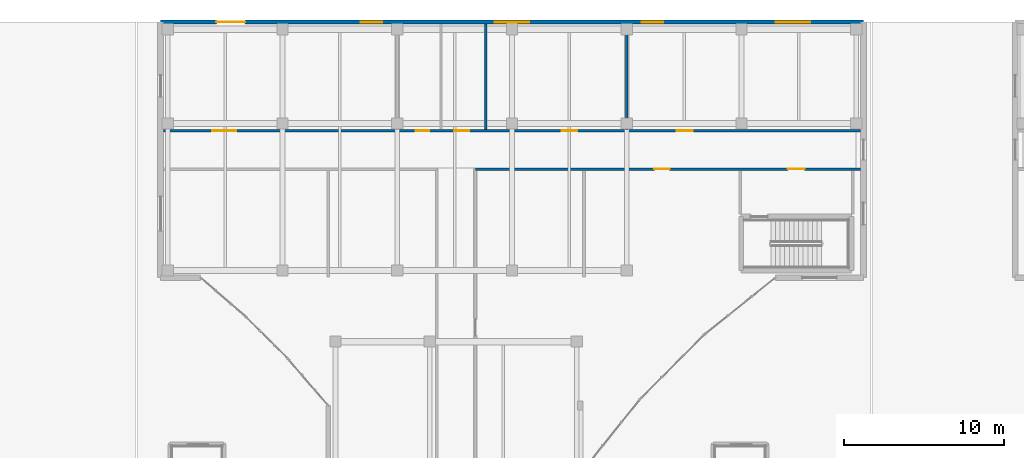
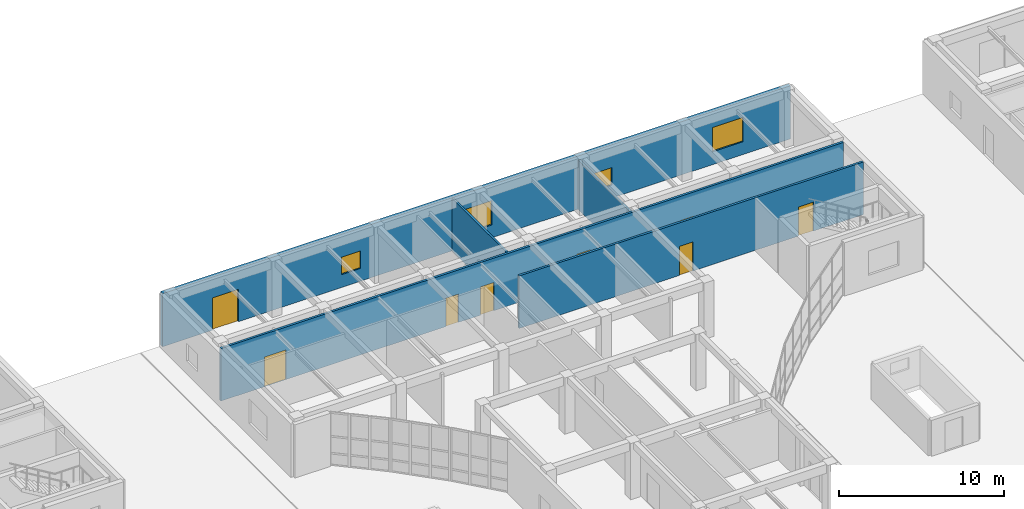
# One storey, part 86 of 114: 8 doors, 5 walls, 4 windows, 12 openings.
"""IFC4 building model written with IfcOpenShell, lengths in metres."""

from ifc_helpers import new_model, si_unit, direction, frame, frame_2d, origin, place, context, subcontext, project, spatial, rectangle, extrude, material, layer, layer_set, type_object, element, fill, save


model = new_model("IFC4")

# Units and contexts
model_context = context("Model", 3, precision=1e-05, world=origin(), true_north=direction((0.0, 1.0)))
body_context = subcontext(model_context, "Body", "Model", "MODEL_VIEW")
ifc_project = project(units=[si_unit("LENGTHUNIT", "METRE"), si_unit("AREAUNIT", "SQUARE_METRE"), si_unit("VOLUMEUNIT", "CUBIC_METRE"), si_unit("PLANEANGLEUNIT", "RADIAN"), si_unit("MASSUNIT", "GRAM", prefix="KILO")], contexts=[model_context])

# Site, building, storey
site_placement = place(None, origin())
site = spatial("IfcSite", under=ifc_project, at=site_placement, CompositionType="ELEMENT")
building_placement = place(site_placement, origin())
building = spatial("IfcBuilding", under=site, at=building_placement, Name="Keldmere Railside Commons", CompositionType="ELEMENT")
storey_placement = place(building_placement, origin())
storey = spatial("IfcBuildingStorey", under=building, at=storey_placement, Name="L00", CompositionType="ELEMENT", Elevation=0.0)

# Wall, openings, doors
ifc_material_1 = material(Name="Acoustic Gypsum Board Partition", Category="gypsum")
ifc_layer_1 = layer(ifc_material_1, 0.159912109375, Name="Corridor Fire Partition 160")
ifc_layer_set_1 = layer_set([ifc_layer_1], Name="Acoustic Gypsum Board Partition")
wall_type_1 = type_object("IfcWallType", Name="Corridor Fire Partition 160", PredefinedType="PARTITIONING", material=ifc_layer_set_1)
wall_1_placement = place(storey_placement, frame((113.199951171875, 106.800048828125, 0.0), z_axis=(0.0, 0.0, 1.0), x_axis=(1.0, 0.0, 0.0)))
wall_1 = element("IfcWall", 1, at=wall_1_placement, inside=storey, type_object=wall_type_1, Name="IW-2 IW-L00-0903", PredefinedType="PARTITIONING", context=body_context, shape_type="SweptSolid", body=[
    extrude(rectangle(XDim=24.1201171875, YDim=0.159912109375, at=frame_2d((12.06005859375, 0.0))), origin(), (0.0, 0.0, 1.0), 3.89501953125),
])
opening_1_placement = place(wall_1_placement, frame((19.574951171875, 0.0, 0.0)))
opening_1 = element("IfcOpeningElement", 2, at=opening_1_placement, cuts=wall_1, Name="Opening FD-1", PredefinedType="OPENING", context=body_context, shape_type="SweptSolid", body=[
    extrude(rectangle(XDim=1.050048828125, YDim=2.14990234375, at=frame_2d((0.52490234375, 1.074951171875))), frame((0.0, 0.08984375, 0.0), z_axis=(0.0, -1.0, 0.0), x_axis=(1.0, 0.0, 0.0)), (0.0, 0.0, 1.0), 0.179931640625),
])
opening_2_placement = place(wall_1_placement, frame((11.215087890625, 0.0, 0.0)))
opening_2 = element("IfcOpeningElement", 3, at=opening_2_placement, cuts=wall_1, Name="Opening ID-08", PredefinedType="OPENING", context=body_context, shape_type="SweptSolid", body=[
    extrude(rectangle(XDim=0.9599609375, YDim=2.14990234375, at=frame_2d((0.47998046875, 1.074951171875))), frame((0.0, 0.08984375, 0.0), z_axis=(0.0, -1.0, 0.0), x_axis=(1.0, 0.0, 0.0)), (0.0, 0.0, 1.0), 0.179931640625),
])
ifc_material_2 = material(Name="Steel F-24 (S235)", Category="steel")
door_type_1 = type_object("IfcDoorType", Name="Stair Core Fire Door 1050x2150", OperationType="NOTDEFINED", PredefinedType="DOOR", material=ifc_material_2)
door_1_placement = place(opening_1_placement, origin())
door_1 = element("IfcDoor", 4, at=door_1_placement, inside=storey, type_object=door_type_1, Name="FD-1 IDR-L00-0779", OperationType="SINGLE_SWING_LEFT", OverallHeight=2.14990234375, OverallWidth=1.050048828125, PredefinedType="DOOR", context=body_context, shape_type="SweptSolid", body=[
    extrude(rectangle(XDim=1.050048828125, YDim=2.14990234375, at=frame_2d((0.52490234375, 1.074951171875))), frame((0.0, 0.02490234375, 0.0), z_axis=(0.0, -1.0, 0.0), x_axis=(1.0, 0.0, 0.0)), (0.0, 0.0, 1.0), 0.050048828125),
])
fill(opening_1, door_1)
ifc_material_3 = material(Name="Engineered Oak Timber", Category="wood")
door_type_2 = type_object("IfcDoorType", Name="Study & Meeting Room Door 960x2150", OperationType="NOTDEFINED", PredefinedType="DOOR", material=ifc_material_3)
door_2_placement = place(opening_2_placement, origin())
door_2 = element("IfcDoor", 5, at=door_2_placement, inside=storey, type_object=door_type_2, Name="ID-08 IDR-L00-0795", OperationType="SINGLE_SWING_LEFT", OverallHeight=2.14990234375, OverallWidth=0.9599609375, PredefinedType="DOOR", context=body_context, shape_type="SweptSolid", body=[
    extrude(rectangle(XDim=0.9599609375, YDim=2.14990234375, at=frame_2d((0.47998046875, 1.074951171875))), frame((0.0, 0.02490234375, 0.0), z_axis=(0.0, -1.0, 0.0), x_axis=(1.0, 0.0, 0.0)), (0.0, 0.0, 1.0), 0.050048828125),
])
fill(opening_2, door_2)

wall_2_placement = place(storey_placement, frame((93.679931640625, 109.199951171875, 0.0), z_axis=(0.0, 0.0, 1.0), x_axis=(1.0, 0.0, 0.0)))
wall_2 = element("IfcWall", 6, at=wall_2_placement, inside=storey, type_object=wall_type_1, Name="IW-2 IW-L00-0904", PredefinedType="PARTITIONING", context=body_context, shape_type="SweptSolid", body=[
    extrude(rectangle(XDim=43.64013671875, YDim=0.159912109375, at=frame_2d((21.820068359375, 0.0))), origin(), (0.0, 0.0, 1.0), 3.89501953125),
])
opening_3_placement = place(wall_2_placement, frame((3.070068359375, 0.0, 0.0)))
opening_3 = element("IfcOpeningElement", 7, at=opening_3_placement, cuts=wall_2, Name="Opening ID-07", PredefinedType="OPENING", context=body_context, shape_type="SweptSolid", body=[
    extrude(rectangle(XDim=1.5, YDim=2.199951171875, at=frame_2d((0.75, 1.10009765625))), frame((0.0, 0.08984375, 0.0), z_axis=(0.0, -1.0, 0.0), x_axis=(1.0, 0.0, 0.0)), (0.0, 0.0, 1.0), 0.179931640625),
])
opening_4_placement = place(wall_2_placement, frame((15.7900390625, 0.0, 0.0)))
opening_4 = element("IfcOpeningElement", 8, at=opening_4_placement, cuts=wall_2, Name="Opening ID-04", PredefinedType="OPENING", context=body_context, shape_type="SweptSolid", body=[
    extrude(rectangle(XDim=0.860107421875, YDim=2.10009765625, at=frame_2d((0.43017578125, 1.050048828125))), frame((0.0, 0.08984375, 0.0), z_axis=(0.0, -1.0, 0.0), x_axis=(1.0, 0.0, 0.0)), (0.0, 0.0, 1.0), 0.179931640625),
])
opening_5_placement = place(wall_2_placement, frame((18.199951171875, 0.0, 0.0)))
opening_5 = element("IfcOpeningElement", 9, at=opening_5_placement, cuts=wall_2, Name="Opening ID-05", PredefinedType="OPENING", context=body_context, shape_type="SweptSolid", body=[
    extrude(rectangle(XDim=0.93994140625, YDim=2.10009765625, at=frame_2d((0.469970703125, 1.050048828125))), frame((0.0, 0.08984375, 0.0), z_axis=(0.0, -1.0, 0.0), x_axis=(1.0, 0.0, 0.0)), (0.0, 0.0, 1.0), 0.179931640625),
])
opening_6_placement = place(wall_2_placement, frame((24.93994140625, 0.0, 0.0)))
opening_6 = element("IfcOpeningElement", 10, at=opening_6_placement, cuts=wall_2, Name="Opening ID-08", PredefinedType="OPENING", context=body_context, shape_type="SweptSolid", body=[
    extrude(rectangle(XDim=0.9599609375, YDim=2.14990234375, at=frame_2d((0.47998046875, 1.074951171875))), frame((0.0, 0.08984375, 0.0), z_axis=(0.0, -1.0, 0.0), x_axis=(1.0, 0.0, 0.0)), (0.0, 0.0, 1.0), 0.179931640625),
])
opening_7_placement = place(wall_2_placement, frame((32.1201171875, 0.0, 0.0)))
opening_7 = element("IfcOpeningElement", 11, at=opening_7_placement, cuts=wall_2, Name="Opening FD-9", PredefinedType="OPENING", context=body_context, shape_type="SweptSolid", body=[
    extrude(rectangle(XDim=1.0, YDim=2.10009765625, at=frame_2d((0.5, 1.050048828125))), frame((0.0, 0.08984375, 0.0), z_axis=(0.0, -1.0, 0.0), x_axis=(1.0, 0.0, 0.0)), (0.0, 0.0, 1.0), 0.179931640625),
])
door_type_3 = type_object("IfcDoorType", Name="Accessible Bathroom Door 940x2100", OperationType="NOTDEFINED", PredefinedType="DOOR", material=ifc_material_3)
door_3_placement = place(opening_5_placement, origin())
door_3 = element("IfcDoor", 12, at=door_3_placement, inside=storey, type_object=door_type_3, Name="ID-05 IDR-L00-0792", OperationType="SINGLE_SWING_RIGHT", OverallHeight=2.10009765625, OverallWidth=0.93994140625, PredefinedType="DOOR", context=body_context, shape_type="SweptSolid", body=[
    extrude(rectangle(XDim=0.93994140625, YDim=2.10009765625, at=frame_2d((0.469970703125, 1.050048828125))), frame((0.0, 0.02490234375, 0.0), z_axis=(0.0, -1.0, 0.0), x_axis=(1.0, 0.0, 0.0)), (0.0, 0.0, 1.0), 0.050048828125),
])
fill(opening_5, door_3)
door_type_4 = type_object("IfcDoorType", Name="Apartment Bathroom Door 860x2100", OperationType="NOTDEFINED", PredefinedType="DOOR", material=ifc_material_3)
door_4_placement = place(opening_4_placement, origin())
door_4 = element("IfcDoor", 13, at=door_4_placement, inside=storey, type_object=door_type_4, Name="ID-04 IDR-L00-0791", OperationType="SINGLE_SWING_LEFT", OverallHeight=2.10009765625, OverallWidth=0.860107421875, PredefinedType="DOOR", context=body_context, shape_type="SweptSolid", body=[
    extrude(rectangle(XDim=0.860107421875, YDim=2.10009765625, at=frame_2d((0.43017578125, 1.050048828125))), frame((0.0, 0.02490234375, 0.0), z_axis=(0.0, -1.0, 0.0), x_axis=(1.0, 0.0, 0.0)), (0.0, 0.0, 1.0), 0.050048828125),
])
fill(opening_4, door_4)
door_type_5 = type_object("IfcDoorType", Name="Resident Lounge Double Door 1500x2200", OperationType="DOUBLE_DOOR_SINGLE_SWING", PredefinedType="DOOR", material=ifc_material_3)
door_5_placement = place(opening_3_placement, origin())
door_5 = element("IfcDoor", 14, at=door_5_placement, inside=storey, type_object=door_type_5, Name="ID-07 IDR-L00-0790", OperationType="DOUBLE_DOOR_SINGLE_SWING", OverallHeight=2.199951171875, OverallWidth=1.5, PredefinedType="DOOR", context=body_context, shape_type="SweptSolid", body=[
    extrude(rectangle(XDim=1.5, YDim=2.199951171875, at=frame_2d((0.75, 1.10009765625))), frame((0.0, 0.02490234375, 0.0), z_axis=(0.0, -1.0, 0.0), x_axis=(1.0, 0.0, 0.0)), (0.0, 0.0, 1.0), 0.050048828125),
])
fill(opening_3, door_5)
door_6_placement = place(opening_6_placement, origin())
door_6 = element("IfcDoor", 15, at=door_6_placement, inside=storey, type_object=door_type_2, Name="ID-08 IDR-L00-0793", OperationType="SINGLE_SWING_LEFT", OverallHeight=2.14990234375, OverallWidth=0.9599609375, PredefinedType="DOOR", context=body_context, shape_type="SweptSolid", body=[
    extrude(rectangle(XDim=0.9599609375, YDim=2.14990234375, at=frame_2d((0.47998046875, 1.074951171875))), frame((0.0, 0.02490234375, 0.0), z_axis=(0.0, -1.0, 0.0), x_axis=(1.0, 0.0, 0.0)), (0.0, 0.0, 1.0), 0.050048828125),
])
fill(opening_6, door_6)
door_type_6 = type_object("IfcDoorType", Name="Waste & Storage Fire Door 1000x2100", OperationType="NOTDEFINED", PredefinedType="DOOR", material=ifc_material_2)
door_7_placement = place(opening_7_placement, origin())
door_7 = element("IfcDoor", 16, at=door_7_placement, inside=storey, type_object=door_type_6, Name="FD-9 IDR-L00-0794", OperationType="SINGLE_SWING_RIGHT", OverallHeight=2.10009765625, OverallWidth=1.0, PredefinedType="DOOR", context=body_context, shape_type="SweptSolid", body=[
    extrude(rectangle(XDim=1.0, YDim=2.10009765625, at=frame_2d((0.5, 1.050048828125))), frame((0.0, 0.02490234375, 0.0), z_axis=(0.0, -1.0, 0.0), x_axis=(1.0, 0.0, 0.0)), (0.0, 0.0, 1.0), 0.050048828125),
])
fill(opening_7, door_7)

# Wall, openings, windows, door
ifc_material_4 = material(Name="Terracotta Brick Masonry", Category="masonry")
ifc_layer_2 = layer(ifc_material_4, 0.260009765625, Name="Terracotta Cavity Wall 260")
ifc_layer_set_2 = layer_set([ifc_layer_2], Name="Terracotta Brick Masonry")
wall_type_2 = type_object("IfcWallType", Name="Terracotta Cavity Wall 260", PredefinedType="SOLIDWALL", material=ifc_layer_set_2)
wall_3_placement = place(storey_placement, frame((93.5, 116.0, 0.0), z_axis=(0.0, 0.0, 1.0), x_axis=(1.0, 0.0, 0.0)))
wall_3 = element("IfcWall", 17, at=wall_3_placement, inside=storey, type_object=wall_type_2, Name="EW-1 EXTB-L00-0580", PredefinedType="SOLIDWALL", context=body_context, shape_type="SweptSolid", body=[
    extrude(rectangle(XDim=44.0, YDim=0.260009765625, at=frame_2d((22.0, 0.0))), origin(), (0.0, 0.0, 1.0), 3.93994140625),
])
opening_8_placement = place(wall_3_placement, frame((3.5, 0.0, 0.0)))
opening_8 = element("IfcOpeningElement", 18, at=opening_8_placement, cuts=wall_3, Name="Opening ED-01", PredefinedType="OPENING", context=body_context, shape_type="SweptSolid", body=[
    extrude(rectangle(XDim=1.800048828125, YDim=2.39990234375, at=frame_2d((0.89990234375, 1.199951171875))), frame((0.0, 0.139892578125, 0.0), z_axis=(0.0, -1.0, 0.0), x_axis=(1.0, 0.0, 0.0)), (0.0, 0.0, 1.0), 0.280029296875),
])
opening_9_placement = place(wall_3_placement, frame((12.52490234375, 0.0, 0.949951171875)))
opening_9 = element("IfcOpeningElement", 19, at=opening_9_placement, cuts=wall_3, Name="Opening WN-25", PredefinedType="OPENING", context=body_context, shape_type="SweptSolid", body=[
    extrude(rectangle(XDim=1.35009765625, YDim=1.300048828125, at=frame_2d((0.675048828125, 0.64990234375))), frame((0.0, 0.139892578125, 0.0), z_axis=(0.0, -1.0, 0.0), x_axis=(1.0, 0.0, 0.0)), (0.0, 0.0, 1.0), 0.280029296875),
])
opening_10_placement = place(wall_3_placement, frame((20.925048828125, 0.0, 0.949951171875)))
opening_10 = element("IfcOpeningElement", 20, at=opening_10_placement, cuts=wall_3, Name="Opening WN-41", PredefinedType="OPENING", context=body_context, shape_type="SweptSolid", body=[
    extrude(rectangle(XDim=2.14990234375, YDim=1.800048828125, at=frame_2d((1.074951171875, 0.89990234375))), frame((0.0, 0.139892578125, 0.0), z_axis=(0.0, -1.0, 0.0), x_axis=(1.0, 0.0, 0.0)), (0.0, 0.0, 1.0), 0.280029296875),
])
opening_11_placement = place(wall_3_placement, frame((30.125, 0.0, 0.949951171875)))
opening_11 = element("IfcOpeningElement", 21, at=opening_11_placement, cuts=wall_3, Name="Opening WN-25", PredefinedType="OPENING", context=body_context, shape_type="SweptSolid", body=[
    extrude(rectangle(XDim=1.35009765625, YDim=1.300048828125, at=frame_2d((0.675048828125, 0.64990234375))), frame((0.0, 0.139892578125, 0.0), z_axis=(0.0, -1.0, 0.0), x_axis=(1.0, 0.0, 0.0)), (0.0, 0.0, 1.0), 0.280029296875),
])
opening_12_placement = place(wall_3_placement, frame((38.52490234375, 0.0, 0.949951171875)))
opening_12 = element("IfcOpeningElement", 22, at=opening_12_placement, cuts=wall_3, Name="Opening WN-41", PredefinedType="OPENING", context=body_context, shape_type="SweptSolid", body=[
    extrude(rectangle(XDim=2.14990234375, YDim=1.800048828125, at=frame_2d((1.074951171875, 0.89990234375))), frame((0.0, 0.139892578125, 0.0), z_axis=(0.0, -1.0, 0.0), x_axis=(1.0, 0.0, 0.0)), (0.0, 0.0, 1.0), 0.280029296875),
])
ifc_material_5 = material(Name="Low-E Insulated Double Glazing", Category="glass")
window_type_1 = type_object("IfcWindowType", Name="North Plinth Gallery Window 2150x1800", PartitioningType="SINGLE_PANEL", PredefinedType="WINDOW", material=ifc_material_5)
window_1_placement = place(opening_10_placement, origin())
window_1 = element("IfcWindow", 23, at=window_1_placement, inside=storey, type_object=window_type_1, Name="WN-41 WIN-L00-0355", OverallHeight=1.800048828125, OverallWidth=2.14990234375, PartitioningType="SINGLE_PANEL", PredefinedType="WINDOW", context=body_context, shape_type="SweptSolid", body=[
    extrude(rectangle(XDim=2.14990234375, YDim=1.800048828125, at=frame_2d((1.074951171875, 0.89990234375))), frame((0.0, 0.030029296875, 0.0), z_axis=(0.0, -1.0, 0.0), x_axis=(1.0, 0.0, 0.0)), (0.0, 0.0, 1.0), 0.06005859375),
])
fill(opening_10, window_1)
window_2_placement = place(opening_12_placement, origin())
window_2 = element("IfcWindow", 24, at=window_2_placement, inside=storey, type_object=window_type_1, Name="WN-41 WIN-L00-0357", OverallHeight=1.800048828125, OverallWidth=2.14990234375, PartitioningType="SINGLE_PANEL", PredefinedType="WINDOW", context=body_context, shape_type="SweptSolid", body=[
    extrude(rectangle(XDim=2.14990234375, YDim=1.800048828125, at=frame_2d((1.074951171875, 0.89990234375))), frame((0.0, 0.030029296875, 0.0), z_axis=(0.0, -1.0, 0.0), x_axis=(1.0, 0.0, 0.0)), (0.0, 0.0, 1.0), 0.06005859375),
])
fill(opening_12, window_2)
window_type_2 = type_object("IfcWindowType", Name="Podium Laundry & Mailroom Window 1350x1300", PartitioningType="SINGLE_PANEL", PredefinedType="WINDOW", material=ifc_material_5)
window_3_placement = place(opening_9_placement, origin())
window_3 = element("IfcWindow", 25, at=window_3_placement, inside=storey, type_object=window_type_2, Name="WN-25 WIN-L00-0354", OverallHeight=1.300048828125, OverallWidth=1.35009765625, PartitioningType="SINGLE_PANEL", PredefinedType="WINDOW", context=body_context, shape_type="SweptSolid", body=[
    extrude(rectangle(XDim=1.35009765625, YDim=1.300048828125, at=frame_2d((0.675048828125, 0.64990234375))), frame((0.0, 0.030029296875, 0.0), z_axis=(0.0, -1.0, 0.0), x_axis=(1.0, 0.0, 0.0)), (0.0, 0.0, 1.0), 0.06005859375),
])
fill(opening_9, window_3)
window_4_placement = place(opening_11_placement, origin())
window_4 = element("IfcWindow", 26, at=window_4_placement, inside=storey, type_object=window_type_2, Name="WN-25 WIN-L00-0356", OverallHeight=1.300048828125, OverallWidth=1.35009765625, PartitioningType="SINGLE_PANEL", PredefinedType="WINDOW", context=body_context, shape_type="SweptSolid", body=[
    extrude(rectangle(XDim=1.35009765625, YDim=1.300048828125, at=frame_2d((0.675048828125, 0.64990234375))), frame((0.0, 0.030029296875, 0.0), z_axis=(0.0, -1.0, 0.0), x_axis=(1.0, 0.0, 0.0)), (0.0, 0.0, 1.0), 0.06005859375),
])
fill(opening_11, window_4)
ifc_material_6 = material(Name="Thermally Broken Aluminium", Category="aluminium")
door_type_7 = type_object("IfcDoorType", Name="Residential Main Entrance Double Door 1800x2400", OperationType="DOUBLE_DOOR_SINGLE_SWING", PredefinedType="DOOR", material=ifc_material_6)
door_8_placement = place(opening_8_placement, origin())
door_8 = element("IfcDoor", 27, at=door_8_placement, inside=storey, type_object=door_type_7, Name="ED-01 DR-L00-0127", OperationType="DOUBLE_DOOR_SINGLE_SWING", OverallHeight=2.39990234375, OverallWidth=1.800048828125, PredefinedType="DOOR", context=body_context, shape_type="SweptSolid", body=[
    extrude(rectangle(XDim=1.800048828125, YDim=2.39990234375, at=frame_2d((0.89990234375, 1.199951171875))), frame((0.0, 0.02490234375, 0.0), z_axis=(0.0, -1.0, 0.0), x_axis=(1.0, 0.0, 0.0)), (0.0, 0.0, 1.0), 0.050048828125),
])
fill(opening_8, door_8)

# Walls
ifc_layer_3 = layer(ifc_material_1, 0.139892578125, Name="Wet-Room Sanitary Partition 140")
ifc_layer_set_3 = layer_set([ifc_layer_3], Name="Acoustic Gypsum Board Partition")
wall_type_3 = type_object("IfcWallType", Name="Wet-Room Sanitary Partition 140", PredefinedType="PARTITIONING", material=ifc_layer_set_3)
wall_4_placement = place(storey_placement, frame((113.85009765625, 109.280029296875, 0.0), z_axis=(0.0, 0.0, 1.0), x_axis=(0.0, 1.0, 0.0)))
element("IfcWall", 28, at=wall_4_placement, inside=storey, type_object=wall_type_3, Name="IW-5 IW-L00-0915", PredefinedType="PARTITIONING", context=body_context, shape_type="SweptSolid", body=[
    extrude(rectangle(XDim=6.590087890625, YDim=0.139892578125, at=frame_2d((3.294921875, 0.0))), origin(), (0.0, 0.0, 1.0), 3.89501953125),
])
wall_5_placement = place(storey_placement, frame((122.679931640625, 109.280029296875, 0.0), z_axis=(0.0, 0.0, 1.0), x_axis=(0.0, 1.0, 0.0)))
element("IfcWall", 29, at=wall_5_placement, inside=storey, type_object=wall_type_3, Name="IW-5 IW-L00-0916", PredefinedType="PARTITIONING", context=body_context, shape_type="SweptSolid", body=[
    extrude(rectangle(XDim=6.590087890625, YDim=0.139892578125, at=frame_2d((3.294921875, 0.0))), origin(), (0.0, 0.0, 1.0), 3.639892578125),
])

save(model, "model.ifc")
